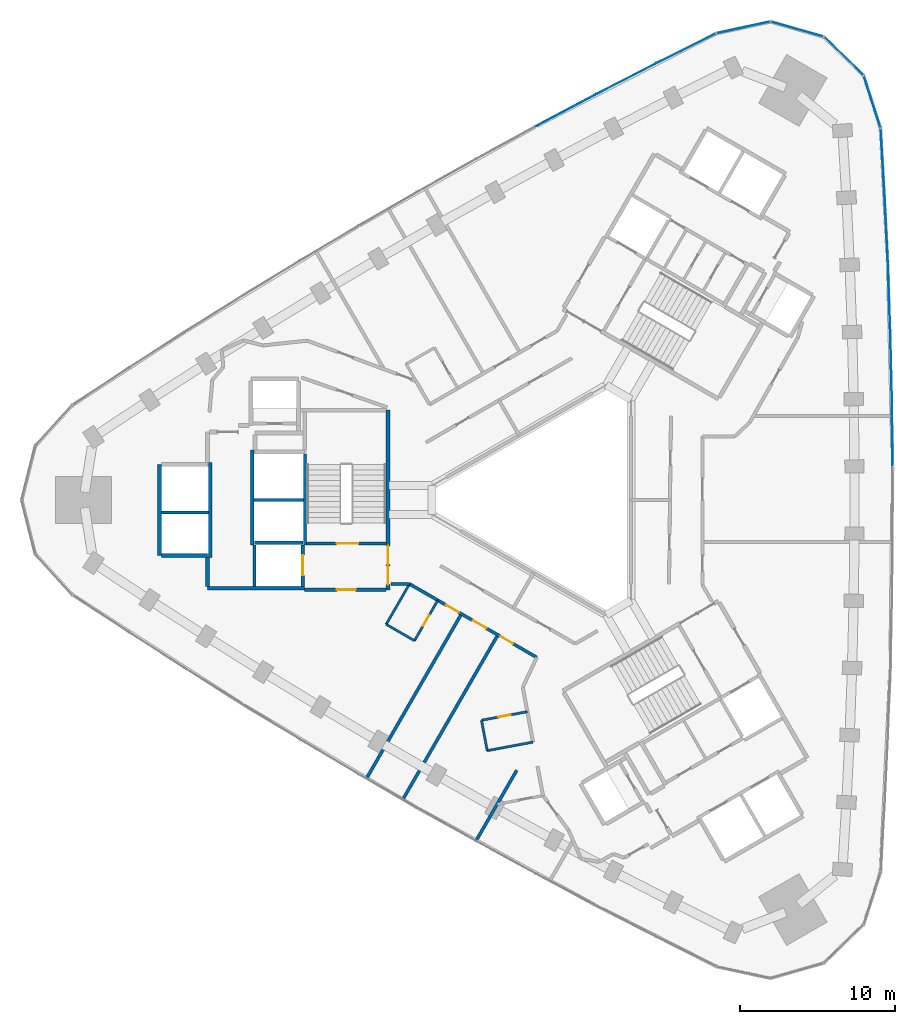
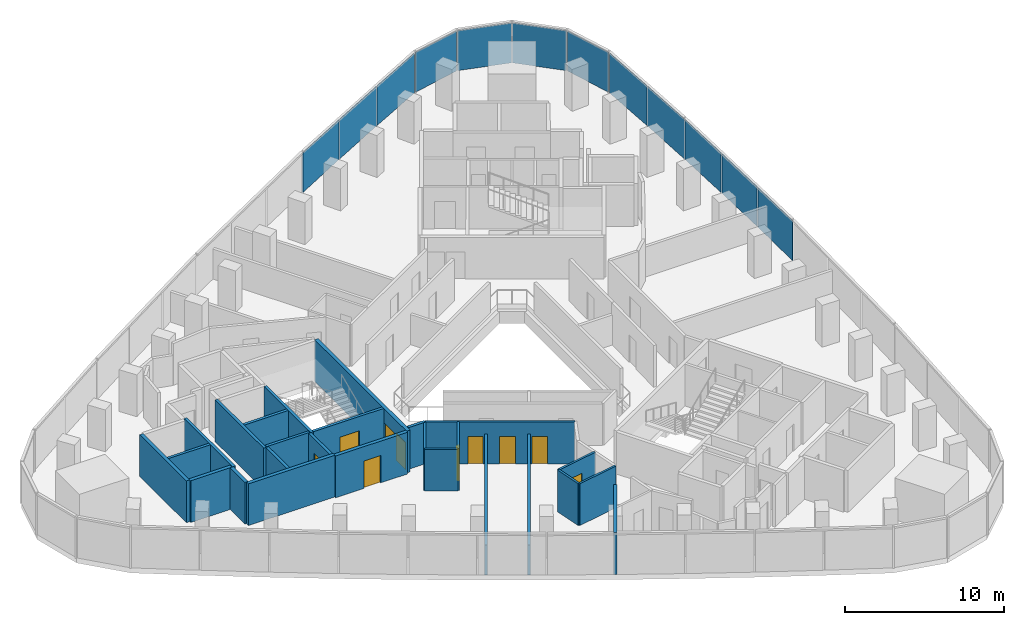
# One storey, part 7 of 12: 26 walls, 12 plates, 10 doors, 10 openings, 2 elements without a shape of their own.
"""IFC4 building model written with IfcOpenShell, lengths in metres."""

from ifc_helpers import new_model, si_unit, direction, frame, frame_2d, origin, origin_2d, place, context, subcontext, project, spatial, rectangle, extrude, material, layer, layer_set, type_object, element, fill, aggregate, save


model = new_model("IFC4")

# Units and contexts
model_context = context("Model", 3, precision=1e-05, world=origin(), true_north=direction((0.0, 1.0)))
body_context = subcontext(model_context, "Body", "Model", "MODEL_VIEW")
ifc_project = project(units=[si_unit("LENGTHUNIT", "METRE"), si_unit("AREAUNIT", "SQUARE_METRE"), si_unit("VOLUMEUNIT", "CUBIC_METRE"), si_unit("PLANEANGLEUNIT", "RADIAN"), si_unit("MASSUNIT", "GRAM", prefix="KILO")], contexts=[model_context])

# Site, building, storey
site_placement = place(None, origin())
site = spatial("IfcSite", under=ifc_project, at=site_placement, CompositionType="ELEMENT")
building_placement = place(site_placement, origin())
building = spatial("IfcBuilding", under=site, at=building_placement, Name="Tamra Quay Hotel Tower", CompositionType="ELEMENT")
storey_placement = place(building_placement, frame((0.0, 0.0, 143.199951171875)))
storey = spatial("IfcBuildingStorey", under=building, at=storey_placement, Name="L35", CompositionType="ELEMENT", Elevation=143.199951171875)

# Curtain wall, plates
ifc_material_1 = material(Name="Aluminium 6063 anodised dark grey", Category="aluminium")
curtain_wall_type_1 = type_object("IfcCurtainWallType", Name="CW1 CURTAIN WALL", PredefinedType="NOTDEFINED", material=ifc_material_1)
curtain_wall_1_placement = place(storey_placement, origin())
curtain_wall_1 = element("IfcCurtainWall", 1, at=curtain_wall_1_placement, inside=storey, type_object=curtain_wall_type_1, Name="CW1 east face L35", PredefinedType="NOTDEFINED")
ifc_material_2 = material(Name="Glass clear laminated low-iron", Category="glass")
ifc_layer_1 = layer(ifc_material_2, 0.031982421875)
ifc_layer_set_1 = layer_set([ifc_layer_1], Name="GLASS PANEL CW1 Z3")
plate_type_1 = type_object("IfcPlateType", Name="GLASS PANEL CW1 Z3", PredefinedType="CURTAIN_PANEL", material=ifc_layer_set_1)
plate_1_placement = place(storey_placement, frame((21.60546875, 4.3515625, 0.0), z_axis=(0.0, 0.0, 1.0), x_axis=(-0.011956859788, 0.999928514197, 0.0)))
plate_1 = element("IfcPlate", 2, at=plate_1_placement, type_object=plate_type_1, Name="CW1 glass L35.E.7", PredefinedType="CURTAIN_PANEL", context=body_context, shape_type="SweptSolid", body=[
    extrude(rectangle(XDim=4.2509765625, YDim=0.031982421875, at=origin_2d()), origin(), (0.0, 0.0, 1.0), 3.06005859375),
])
plate_2_placement = place(storey_placement, frame((21.527587890625, 8.70263671875, 0.0), z_axis=(0.0, 0.0, 1.0), x_axis=(-0.023895852937, 0.999714453338, 0.0)))
plate_2 = element("IfcPlate", 3, at=plate_2_placement, type_object=plate_type_1, Name="CW1 glass L35.E.8", PredefinedType="CURTAIN_PANEL", context=body_context, shape_type="SweptSolid", body=[
    extrude(rectangle(XDim=4.252685546875, YDim=0.031982421875, at=origin_2d()), origin(), (0.0, 0.0, 1.0), 3.06005859375),
])
plate_3_placement = place(storey_placement, frame((21.3974609375, 13.05322265625, 0.0), z_axis=(0.0, 0.0, 1.0), x_axis=(-0.035845418958, 0.999357346468, 0.0)))
plate_3 = element("IfcPlate", 4, at=plate_3_placement, type_object=plate_type_1, Name="CW1 glass L35.E.9", PredefinedType="CURTAIN_PANEL", context=body_context, shape_type="SweptSolid", body=[
    extrude(rectangle(XDim=4.252685546875, YDim=0.031982421875, at=origin_2d()), origin(), (0.0, 0.0, 1.0), 3.06005859375),
])
plate_4_placement = place(storey_placement, frame((21.215576171875, 17.401123046875, 0.0), z_axis=(0.0, 0.0, 1.0), x_axis=(-0.047747439326, 0.998859440581, 0.0)))
plate_4 = element("IfcPlate", 5, at=plate_4_placement, type_object=plate_type_1, Name="CW1 glass L35.E.10", PredefinedType="CURTAIN_PANEL", context=body_context, shape_type="SweptSolid", body=[
    extrude(rectangle(XDim=4.2509765625, YDim=0.031982421875, at=origin_2d()), origin(), (0.0, 0.0, 1.0), 3.06005859375),
])
plate_5_placement = place(storey_placement, frame((20.98193359375, 21.74609375, 0.0), z_axis=(0.0, 0.0, 1.0), x_axis=(-0.059641629271, 0.998219853568, 0.0)))
plate_5 = element("IfcPlate", 6, at=plate_5_placement, type_object=plate_type_1, Name="CW1 glass L35.E.11", PredefinedType="CURTAIN_PANEL", context=body_context, shape_type="SweptSolid", body=[
    extrude(rectangle(XDim=4.251708984375, YDim=0.031982421875, at=origin_2d()), origin(), (0.0, 0.0, 1.0), 3.06005859375),
])
plate_6_placement = place(storey_placement, frame((20.306884765625, 25.615234375, 0.0), z_axis=(0.0, 0.0, 1.0), x_axis=(-0.305914777883, 0.952058899792, 0.0)))
plate_6 = element("IfcPlate", 7, at=plate_6_placement, type_object=plate_type_1, Name="CW1 glass L35.E.12", PredefinedType="CURTAIN_PANEL", context=body_context, shape_type="SweptSolid", body=[
    extrude(rectangle(XDim=3.46484375, YDim=0.031982421875, at=origin_2d()), origin(), (0.0, 0.0, 1.0), 3.06005859375),
])
plate_7_placement = place(storey_placement, frame((18.480712890625, 28.5517578125, 0.0), z_axis=(0.0, 0.0, 1.0), x_axis=(-0.718584480635, 0.695439676888, 0.0)))
plate_7 = element("IfcPlate", 8, at=plate_7_placement, type_object=plate_type_1, Name="CW1 glass L35.E.13", PredefinedType="CURTAIN_PANEL", context=body_context, shape_type="SweptSolid", body=[
    extrude(rectangle(XDim=3.46484375, YDim=0.031982421875, at=origin_2d()), origin(), (0.0, 0.0, 1.0), 3.06005859375),
])
plate_8_placement = place(storey_placement, frame((15.486083984375, 30.28076171875, 0.0), z_axis=(0.0, 0.0, 1.0), x_axis=(-0.961560667302, 0.274592576551, 0.0)))
plate_8 = element("IfcPlate", 9, at=plate_8_placement, type_object=plate_type_1, Name="CW1 glass L35.E.14", PredefinedType="CURTAIN_PANEL", context=body_context, shape_type="SweptSolid", body=[
    extrude(rectangle(XDim=3.46484375, YDim=0.031982421875, at=origin_2d()), origin(), (0.0, 0.0, 1.0), 3.06005859375),
])
plate_9_placement = place(storey_placement, frame((12.030029296875, 30.393798828125, 0.0), z_axis=(0.0, 0.0, 1.0), x_axis=(-0.97746458206, -0.211099480856, 0.0)))
plate_9 = element("IfcPlate", 10, at=plate_9_placement, type_object=plate_type_1, Name="CW1 glass L35.E.15", PredefinedType="CURTAIN_PANEL", context=body_context, shape_type="SweptSolid", body=[
    extrude(rectangle(XDim=3.46484375, YDim=0.031982421875, at=origin_2d()), origin(), (0.0, 0.0, 1.0), 3.06005859375),
])
aggregate(curtain_wall_1, [plate_1, plate_2, plate_3, plate_4, plate_5, plate_6, plate_7, plate_8, plate_9])

curtain_wall_type_2 = type_object("IfcCurtainWallType", Name="CW2 CURTAIN WALL", PredefinedType="NOTDEFINED", material=ifc_material_1)
curtain_wall_2_placement = place(storey_placement, origin())
curtain_wall_2 = element("IfcCurtainWall", 11, at=curtain_wall_2_placement, inside=storey, type_object=curtain_wall_type_2, Name="CW2 north-west face L35", PredefinedType="NOTDEFINED")
ifc_layer_2 = layer(ifc_material_2, 0.031982421875)
ifc_layer_set_2 = layer_set([ifc_layer_2], Name="GLASS PANEL CW2 Z3")
plate_type_2 = type_object("IfcPlateType", Name="GLASS PANEL CW2 Z3", PredefinedType="CURTAIN_PANEL", material=ifc_layer_set_2)
plate_10_placement = place(storey_placement, frame((8.341796875, 29.0439453125, 0.0), z_axis=(0.0, 0.0, 1.0), x_axis=(-0.894304566387, -0.447458760713, 0.0)))
plate_10 = element("IfcPlate", 12, at=plate_10_placement, type_object=plate_type_2, Name="CW2 glass L35.NW.1", PredefinedType="CURTAIN_PANEL", context=body_context, shape_type="SweptSolid", body=[
    extrude(rectangle(XDim=4.251708984375, YDim=0.031982421875, at=origin_2d()), origin(), (0.0, 0.0, 1.0), 3.06005859375),
])
plate_11_placement = place(storey_placement, frame((4.462158203125, 27.073974609375, 0.0), z_axis=(0.0, 0.0, 1.0), x_axis=(-0.888911370016, -0.458079224868, 0.0)))
plate_11 = element("IfcPlate", 13, at=plate_11_placement, type_object=plate_type_2, Name="CW2 glass L35.NW.2", PredefinedType="CURTAIN_PANEL", context=body_context, shape_type="SweptSolid", body=[
    extrude(rectangle(XDim=4.2509765625, YDim=0.031982421875, at=origin_2d()), origin(), (0.0, 0.0, 1.0), 3.06005859375),
])
plate_12_placement = place(storey_placement, frame((0.605712890625, 25.057373046875, 0.0), z_axis=(0.0, 0.0, 1.0), x_axis=(-0.883391558979, -0.468635629808, 0.0)))
plate_12 = element("IfcPlate", 14, at=plate_12_placement, type_object=plate_type_2, Name="CW2 glass L35.NW.3", PredefinedType="CURTAIN_PANEL", context=body_context, shape_type="SweptSolid", body=[
    extrude(rectangle(XDim=4.252685546875, YDim=0.031982421875, at=origin_2d()), origin(), (0.0, 0.0, 1.0), 3.06005859375),
])
aggregate(curtain_wall_2, [plate_10, plate_11, plate_12])

# Walls
ifc_material_3 = material(Name="Concrete M70", Category="concrete")
ifc_layer_3 = layer(ifc_material_3, 0.199951171875)
ifc_layer_set_3 = layer_set([ifc_layer_3], Name="Concrete M70 core wall 200")
wall_type_1 = type_object("IfcWallType", Name="Concrete M70 core wall 200", PredefinedType="SHEAR", material=ifc_layer_set_3)
wall_1_placement = place(storey_placement, frame((-16.162109375, 2.95068359375, 0.0), z_axis=(0.0, 0.0, 1.0), x_axis=(0.0, -1.0, 0.0)))
element("IfcWall", 15, at=wall_1_placement, inside=storey, type_object=wall_type_1, Name="CW2", PredefinedType="SHEAR", context=body_context, shape_type="SweptSolid", body=[
    extrude(rectangle(XDim=5.850830078125, YDim=0.199951171875, at=frame_2d((2.92529296875, 0.0))), origin(), (0.0, 0.0, 1.0), 3.199951171875),
])
for number, where, z_axis, x_axis, name in (
    (16, (-19.5625, -2.900146484375, 0.0), (0.0, 0.0, 1.0), (0.0, 1.0, 0.0), "CW2"),
    (17, (-22.26220703125, 2.400146484375, 0.0), (0.0, 0.0, 1.0), (0.0, -1.0, 0.0), "CW2"),
):
    element("IfcWall", number, at=place(storey_placement, frame(where, z_axis=z_axis, x_axis=x_axis)), inside=storey, type_object=wall_type_1, Name=name, PredefinedType="SHEAR", context=body_context, shape_type="SweptSolid", body=[
        extrude(rectangle(XDim=6.100341796875, YDim=0.199951171875, at=frame_2d((3.05029296875, 0.0))), origin(), (0.0, 0.0, 1.0), 3.199951171875),
    ])

# Wall, opening, door
wall_2_placement = place(storey_placement, frame((-10.96337890625, -2.800048828125, 0.0), z_axis=(0.0, 0.0, 1.0), x_axis=(-1.0, 0.0, 0.0)))
wall_2 = element("IfcWall", 18, at=wall_2_placement, inside=storey, type_object=wall_type_1, Name="CW2", PredefinedType="SHEAR", context=body_context, shape_type="SweptSolid", body=[
    extrude(rectangle(XDim=5.097900390625, YDim=0.199951171875, at=frame_2d((2.548828125, 0.0))), origin(), (0.0, 0.0, 1.0), 3.199951171875),
])
opening_1_placement = place(wall_2_placement, frame((1.77392578125, 0.0, 0.0)))
opening_1 = element("IfcOpeningElement", 19, at=opening_1_placement, cuts=wall_2, Name="Opening FD2", PredefinedType="OPENING", context=body_context, shape_type="SweptSolid", body=[
    extrude(rectangle(XDim=1.39990234375, YDim=2.10009765625, at=frame_2d((0.699951171875, 1.050048828125))), frame((0.0, 0.10986328125, 0.0), z_axis=(0.0, -1.0, 0.0), x_axis=(1.0, 0.0, 0.0)), (0.0, 0.0, 1.0), 0.219970703125),
])
ifc_material_4 = material(Name="Core door FD2 1400x2100 LH")
door_type_1 = type_object("IfcDoorType", Name="Core door FD2 1400x2100 LH", OperationType="NOTDEFINED", PredefinedType="DOOR", material=ifc_material_4)
door_1_placement = place(opening_1_placement, origin())
door_1 = element("IfcDoor", 20, at=door_1_placement, inside=storey, type_object=door_type_1, Name="FD2", OperationType="SINGLE_SWING_LEFT", OverallHeight=2.10009765625, OverallWidth=1.39990234375, PredefinedType="DOOR", context=body_context, shape_type="SweptSolid", body=[
    extrude(rectangle(XDim=1.39990234375, YDim=2.10009765625, at=frame_2d((0.699951171875, 1.050048828125))), frame((0.0, 0.02490234375, 0.0), z_axis=(0.0, -1.0, 0.0), x_axis=(1.0, 0.0, 0.0)), (0.0, 0.0, 1.0), 0.050048828125),
])
fill(opening_1, door_1)

# Walls
wall_3_placement = place(storey_placement, frame((-16.26318359375, 0.0, 0.0), z_axis=(0.0, 0.0, 1.0), x_axis=(-1.0, 0.0, 0.0)))
element("IfcWall", 21, at=wall_3_placement, inside=storey, type_object=wall_type_1, Name="CW2", PredefinedType="SHEAR", context=body_context, shape_type="SweptSolid", body=[
    extrude(rectangle(XDim=3.1982421875, YDim=0.199951171875, at=frame_2d((1.59912109375, 0.0))), origin(), (0.0, 0.0, 1.0), 3.199951171875),
])
wall_4_placement = place(storey_placement, frame((-22.36328125, -0.800048828125, 0.0), z_axis=(0.0, 0.0, 1.0), x_axis=(-1.0, 0.0, 0.0)))
element("IfcWall", 22, at=wall_4_placement, inside=storey, type_object=wall_type_1, Name="CW2", PredefinedType="SHEAR", context=body_context, shape_type="SweptSolid", body=[
    extrude(rectangle(XDim=3.048095703125, YDim=0.199951171875, at=frame_2d((1.52392578125, 0.0))), origin(), (0.0, 0.0, 1.0), 3.199951171875),
])
wall_5_placement = place(storey_placement, frame((-19.412353515625, -2.75, 0.0), z_axis=(0.0, 0.0, 1.0), x_axis=(1.0, 0.0, 0.0)))
element("IfcWall", 23, at=wall_5_placement, inside=storey, type_object=wall_type_1, Name="CW2", PredefinedType="SHEAR", context=body_context, shape_type="SweptSolid", body=[
    extrude(rectangle(XDim=3.10009765625, YDim=0.199951171875, at=frame_2d((1.550048828125, 0.0))), origin(), (0.0, 0.0, 1.0), 3.199951171875),
])

# Wall, opening, door
wall_6_placement = place(storey_placement, frame((-16.312255859375, -2.898193359375, 0.0), z_axis=(0.0, 0.0, 1.0), x_axis=(0.0, -1.0, 0.0)))
wall_6 = element("IfcWall", 24, at=wall_6_placement, inside=storey, type_object=wall_type_1, Name="CW2", PredefinedType="SHEAR", context=body_context, shape_type="SweptSolid", body=[
    extrude(rectangle(XDim=2.65087890625, YDim=0.199951171875, at=frame_2d((1.325439453125, 0.0))), origin(), (0.0, 0.0, 1.0), 3.199951171875),
])
opening_2_placement = place(wall_6_placement, frame((0.65185546875, 0.0, 0.0)))
opening_2 = element("IfcOpeningElement", 25, at=opening_2_placement, cuts=wall_6, Name="Opening LD", PredefinedType="OPENING", context=body_context, shape_type="SweptSolid", body=[
    extrude(rectangle(XDim=1.300048828125, YDim=2.10009765625, at=frame_2d((0.64990234375, 1.050048828125))), frame((0.0, 0.10986328125, 0.0), z_axis=(0.0, -1.0, 0.0), x_axis=(1.0, 0.0, 0.0)), (0.0, 0.0, 1.0), 0.219970703125),
])
ifc_material_5 = material(Name="Landing door LD 1300 sliding to left")
door_type_2 = type_object("IfcDoorType", Name="Landing door LD 1300 sliding to left", OperationType="NOTDEFINED", PredefinedType="DOOR", material=ifc_material_5)
door_2_placement = place(opening_2_placement, origin())
door_2 = element("IfcDoor", 26, at=door_2_placement, inside=storey, type_object=door_type_2, Name="LD", OperationType="SLIDING_TO_LEFT", OverallHeight=2.10009765625, OverallWidth=1.300048828125, PredefinedType="DOOR", context=body_context, shape_type="SweptSolid", body=[
    extrude(rectangle(XDim=1.300048828125, YDim=2.10009765625, at=frame_2d((0.64990234375, 1.050048828125))), frame((0.0, 0.02490234375, 0.0), z_axis=(0.0, -1.0, 0.0), x_axis=(1.0, 0.0, 0.0)), (0.0, 0.0, 1.0), 0.050048828125),
])
fill(opening_2, door_2)

# Wall
wall_7_placement = place(storey_placement, frame((-19.412353515625, -5.549072265625, 0.0), z_axis=(0.0, 0.0, 1.0), x_axis=(0.0, 1.0, 0.0)))
element("IfcWall", 27, at=wall_7_placement, inside=storey, type_object=wall_type_1, Name="CW2", PredefinedType="SHEAR", context=body_context, shape_type="SweptSolid", body=[
    extrude(rectangle(XDim=2.65087890625, YDim=0.199951171875, at=frame_2d((1.325439453125, 0.0))), origin(), (0.0, 0.0, 1.0), 3.199951171875),
])

# Wall, openings, doors
ifc_layer_4 = layer(ifc_material_3, 0.25)
ifc_layer_set_4 = layer_set([ifc_layer_4], Name="Concrete M70 core wall 250")
wall_type_2 = type_object("IfcWallType", Name="Concrete M70 core wall 250", PredefinedType="SHEAR", material=ifc_layer_set_4)
wall_8_placement = place(storey_placement, frame((-10.83740234375, 5.77490234375, 0.0), z_axis=(0.0, 0.0, 1.0), x_axis=(0.0, -1.0, 0.0)))
wall_8 = element("IfcWall", 28, at=wall_8_placement, inside=storey, type_object=wall_type_2, Name="CW1", PredefinedType="SHEAR", context=body_context, shape_type="SweptSolid", body=[
    extrude(rectangle(XDim=11.5498046875, YDim=0.25, at=frame_2d((5.77490234375, 0.0))), origin(), (0.0, 0.0, 1.0), 3.199951171875),
])
opening_3_placement = place(wall_8_placement, frame((10.02490234375, 0.0, 0.0)))
opening_3 = element("IfcOpeningElement", 29, at=opening_3_placement, cuts=wall_8, Name="Opening FD1", PredefinedType="OPENING", context=body_context, shape_type="SweptSolid", body=[
    extrude(rectangle(XDim=1.199951171875, YDim=2.10009765625, at=frame_2d((0.60009765625, 1.050048828125))), frame((0.0, 0.135009765625, 0.0), z_axis=(0.0, -1.0, 0.0), x_axis=(1.0, 0.0, 0.0)), (0.0, 0.0, 1.0), 0.27001953125),
])
opening_4_placement = place(wall_8_placement, frame((8.72509765625, 0.0, 0.0)))
opening_4 = element("IfcOpeningElement", 30, at=opening_4_placement, cuts=wall_8, Name="Opening FD1", PredefinedType="OPENING", context=body_context, shape_type="SweptSolid", body=[
    extrude(rectangle(XDim=1.199951171875, YDim=2.10009765625, at=frame_2d((0.60009765625, 1.050048828125))), frame((0.0, 0.135009765625, 0.0), z_axis=(0.0, -1.0, 0.0), x_axis=(1.0, 0.0, 0.0)), (0.0, 0.0, 1.0), 0.27001953125),
])
ifc_material_6 = material(Name="Core door FD1 1200x2100 LH")
door_type_3 = type_object("IfcDoorType", Name="Core door FD1 1200x2100 LH", OperationType="NOTDEFINED", PredefinedType="DOOR", material=ifc_material_6)
door_3_placement = place(opening_3_placement, origin())
door_3 = element("IfcDoor", 31, at=door_3_placement, inside=storey, type_object=door_type_3, Name="FD1", OperationType="SINGLE_SWING_LEFT", OverallHeight=2.10009765625, OverallWidth=1.199951171875, PredefinedType="DOOR", context=body_context, shape_type="SweptSolid", body=[
    extrude(rectangle(XDim=1.199951171875, YDim=2.10009765625, at=frame_2d((0.60009765625, 1.050048828125))), frame((0.0, 0.02490234375, 0.0), z_axis=(0.0, -1.0, 0.0), x_axis=(1.0, 0.0, 0.0)), (0.0, 0.0, 1.0), 0.050048828125),
])
fill(opening_3, door_3)
ifc_material_7 = material(Name="Core door FD1 1200x2100 RH")
door_type_4 = type_object("IfcDoorType", Name="Core door FD1 1200x2100 RH", OperationType="NOTDEFINED", PredefinedType="DOOR", material=ifc_material_7)
door_4_placement = place(opening_4_placement, origin())
door_4 = element("IfcDoor", 32, at=door_4_placement, inside=storey, type_object=door_type_4, Name="FD1", OperationType="SINGLE_SWING_RIGHT", OverallHeight=2.10009765625, OverallWidth=1.199951171875, PredefinedType="DOOR", context=body_context, shape_type="SweptSolid", body=[
    extrude(rectangle(XDim=1.199951171875, YDim=2.10009765625, at=frame_2d((0.60009765625, 1.050048828125))), frame((0.0, 0.02490234375, 0.0), z_axis=(0.0, -1.0, 0.0), x_axis=(1.0, 0.0, 0.0)), (0.0, 0.0, 1.0), 0.050048828125),
])
fill(opening_4, door_4)

# Walls
wall_9_placement = place(storey_placement, frame((-16.187255859375, -5.675048828125, 0.0), z_axis=(0.0, 0.0, 1.0), x_axis=(-1.0, 0.0, 0.0)))
element("IfcWall", 33, at=wall_9_placement, inside=storey, type_object=wall_type_2, Name="CW1", PredefinedType="SHEAR", context=body_context, shape_type="SweptSolid", body=[
    extrude(rectangle(XDim=6.25, YDim=0.25, at=frame_2d((3.125, 0.0))), origin(), (0.0, 0.0, 1.0), 3.199951171875),
])
wall_10_placement = place(storey_placement, frame((-25.537353515625, -3.574951171875, 0.0), z_axis=(0.0, 0.0, 1.0), x_axis=(0.0, 1.0, 0.0)))
element("IfcWall", 34, at=wall_10_placement, inside=storey, type_object=wall_type_2, Name="CW1", PredefinedType="SHEAR", context=body_context, shape_type="SweptSolid", body=[
    extrude(rectangle(XDim=5.849853515625, YDim=0.25, at=frame_2d((2.9248046875, 0.0))), origin(), (0.0, 0.0, 1.0), 3.199951171875),
])

# Wall, opening, door
wall_11_placement = place(storey_placement, frame((-10.962646484375, -5.77490234375, 0.0), z_axis=(0.0, 0.0, 1.0), x_axis=(-1.0, 0.0, 0.0)))
wall_11 = element("IfcWall", 35, at=wall_11_placement, inside=storey, type_object=wall_type_2, Name="CW1", PredefinedType="SHEAR", context=body_context, shape_type="SweptSolid", body=[
    extrude(rectangle(XDim=5.224609375, YDim=0.25, at=frame_2d((2.6123046875, 0.0))), origin(), (0.0, 0.0, 1.0), 3.199951171875),
])
opening_5_placement = place(wall_11_placement, frame((1.94970703125, 0.0, 0.0)))
opening_5 = element("IfcOpeningElement", 36, at=opening_5_placement, cuts=wall_11, Name="Opening D2", PredefinedType="OPENING", context=body_context, shape_type="SweptSolid", body=[
    extrude(rectangle(XDim=1.199951171875, YDim=2.10009765625, at=frame_2d((0.60009765625, 1.050048828125))), frame((0.0, 0.135009765625, 0.0), z_axis=(0.0, -1.0, 0.0), x_axis=(1.0, 0.0, 0.0)), (0.0, 0.0, 1.0), 0.27001953125),
])
ifc_material_8 = material(Name="Core door D2 1200x2100 RH")
door_type_5 = type_object("IfcDoorType", Name="Core door D2 1200x2100 RH", OperationType="NOTDEFINED", PredefinedType="DOOR", material=ifc_material_8)
door_5_placement = place(opening_5_placement, origin())
door_5 = element("IfcDoor", 37, at=door_5_placement, inside=storey, type_object=door_type_5, Name="D2", OperationType="SINGLE_SWING_RIGHT", OverallHeight=2.10009765625, OverallWidth=1.199951171875, PredefinedType="DOOR", context=body_context, shape_type="SweptSolid", body=[
    extrude(rectangle(XDim=1.199951171875, YDim=2.10009765625, at=frame_2d((0.60009765625, 1.050048828125))), frame((0.0, 0.02490234375, 0.0), z_axis=(0.0, -1.0, 0.0), x_axis=(1.0, 0.0, 0.0)), (0.0, 0.0, 1.0), 0.050048828125),
])
fill(opening_5, door_5)

# Walls
wall_12_placement = place(storey_placement, frame((-22.437255859375, -3.574951171875, 0.0), z_axis=(0.0, 0.0, 1.0), x_axis=(-1.0, 0.0, 0.0)))
element("IfcWall", 38, at=wall_12_placement, inside=storey, type_object=wall_type_2, Name="CW1", PredefinedType="SHEAR", context=body_context, shape_type="SweptSolid", body=[
    extrude(rectangle(XDim=2.974609375, YDim=0.25, at=frame_2d((1.4873046875, 0.0))), origin(), (0.0, 0.0, 1.0), 3.199951171875),
])
wall_13_placement = place(storey_placement, frame((-22.437255859375, -5.549560546875, 0.0), z_axis=(0.0, 0.0, 1.0), x_axis=(0.0, 1.0, 0.0)))
element("IfcWall", 39, at=wall_13_placement, inside=storey, type_object=wall_type_2, Name="CW1", PredefinedType="SHEAR", context=body_context, shape_type="SweptSolid", body=[
    extrude(rectangle(XDim=1.84912109375, YDim=0.25, at=frame_2d((0.924560546875, 0.0))), origin(), (0.0, 0.0, 1.0), 3.199951171875),
])
ifc_material_9 = material(Name="Partition corridor wall")
ifc_layer_5 = layer(ifc_material_9, 0.199951171875)
ifc_layer_set_5 = layer_set([ifc_layer_5], Name="Partition corridor wall")
wall_type_3 = type_object("IfcWallType", Name="Partition corridor wall", PredefinedType="PARTITIONING", material=ifc_layer_set_5)
wall_14_placement = place(storey_placement, frame((-10.65234375, -5.39990234375, 0.0), z_axis=(0.0, 0.0, 1.0), x_axis=(1.0, 0.0, 0.0)))
element("IfcWall", 40, at=wall_14_placement, inside=storey, type_object=wall_type_3, Name="W-C", PredefinedType="PARTITIONING", context=body_context, shape_type="SweptSolid", body=[
    extrude(rectangle(XDim=1.205322265625, YDim=0.199951171875, at=frame_2d((0.6025390625, 0.0))), origin(), (0.0, 0.0, 1.0), 3.199951171875),
])

# Wall, openings, doors
wall_15_placement = place(storey_placement, frame((-9.447265625, -5.400390625, 0.0), z_axis=(0.0, 0.0, 1.0), x_axis=(0.866101262146, -0.49986858644, 0.0)))
wall_15 = element("IfcWall", 41, at=wall_15_placement, inside=storey, type_object=wall_type_3, Name="W-C", PredefinedType="PARTITIONING", context=body_context, shape_type="SweptSolid", body=[
    extrude(rectangle(XDim=9.44873046875, YDim=0.199951171875, at=frame_2d((4.724365234375, 0.0))), origin(), (0.0, 0.0, 1.0), 3.199951171875),
])
opening_6_placement = place(wall_15_placement, frame((2.71826171875, 0.0, 0.0)))
opening_6 = element("IfcOpeningElement", 42, at=opening_6_placement, cuts=wall_15, Name="Opening L35-D010", PredefinedType="OPENING", context=body_context, shape_type="SweptSolid", body=[
    extrude(rectangle(XDim=0.949951171875, YDim=2.10009765625, at=frame_2d((0.47509765625, 1.050048828125))), frame((0.0, 0.10986328125, 0.0), z_axis=(0.0, -1.0, 0.0), x_axis=(1.0, 0.0, 0.0)), (0.0, 0.0, 1.0), 0.219970703125),
])
opening_7_placement = place(wall_15_placement, frame((4.706787109375, 0.0, 0.0)))
opening_7 = element("IfcOpeningElement", 43, at=opening_7_placement, cuts=wall_15, Name="Opening L35-D012", PredefinedType="OPENING", context=body_context, shape_type="SweptSolid", body=[
    extrude(rectangle(XDim=1.0, YDim=2.10009765625, at=frame_2d((0.5, 1.050048828125))), frame((0.0, 0.10986328125, 0.0), z_axis=(0.0, -1.0, 0.0), x_axis=(1.0, 0.0, 0.0)), (0.0, 0.0, 1.0), 0.219970703125),
])
opening_8_placement = place(wall_15_placement, frame((6.74609375, 0.0, 0.0)))
opening_8 = element("IfcOpeningElement", 44, at=opening_8_placement, cuts=wall_15, Name="Opening L35-D013", PredefinedType="OPENING", context=body_context, shape_type="SweptSolid", body=[
    extrude(rectangle(XDim=0.949951171875, YDim=2.10009765625, at=frame_2d((0.47509765625, 1.050048828125))), frame((0.0, 0.10986328125, 0.0), z_axis=(0.0, -1.0, 0.0), x_axis=(1.0, 0.0, 0.0)), (0.0, 0.0, 1.0), 0.219970703125),
])
ifc_material_10 = material(Name="Door guest room 1000x2100")
door_type_6 = type_object("IfcDoorType", Name="Door guest room 1000x2100", OperationType="NOTDEFINED", PredefinedType="DOOR", material=ifc_material_10)
door_6_placement = place(opening_7_placement, frame((1.0, 0.0, 0.0), z_axis=(0.0, 0.0, 1.0), x_axis=(-1.0, 0.0, 0.0)))
door_6 = element("IfcDoor", 45, at=door_6_placement, inside=storey, type_object=door_type_6, Name="L35-D012", OperationType="SINGLE_SWING_LEFT", OverallHeight=2.10009765625, OverallWidth=1.0, PredefinedType="DOOR", context=body_context, shape_type="SweptSolid", body=[
    extrude(rectangle(XDim=1.0, YDim=2.10009765625, at=frame_2d((0.5, 1.050048828125))), frame((0.0, 0.02490234375, 0.0), z_axis=(0.0, -1.0, 0.0), x_axis=(1.0, 0.0, 0.0)), (0.0, 0.0, 1.0), 0.050048828125),
])
fill(opening_7, door_6)
ifc_material_11 = material(Name="Door guest room 950x2100")
door_type_7 = type_object("IfcDoorType", Name="Door guest room 950x2100", OperationType="NOTDEFINED", PredefinedType="DOOR", material=ifc_material_11)
door_7_placement = place(opening_6_placement, frame((0.949951171875, 0.0, 0.0), z_axis=(0.0, 0.0, 1.0), x_axis=(-1.0, 0.0, 0.0)))
door_7 = element("IfcDoor", 46, at=door_7_placement, inside=storey, type_object=door_type_7, Name="L35-D010", OperationType="SINGLE_SWING_LEFT", OverallHeight=2.10009765625, OverallWidth=0.949951171875, PredefinedType="DOOR", context=body_context, shape_type="SweptSolid", body=[
    extrude(rectangle(XDim=0.949951171875, YDim=2.10009765625, at=frame_2d((0.47509765625, 1.050048828125))), frame((0.0, 0.02490234375, 0.0), z_axis=(0.0, -1.0, 0.0), x_axis=(1.0, 0.0, 0.0)), (0.0, 0.0, 1.0), 0.050048828125),
])
fill(opening_6, door_7)
door_8_placement = place(opening_8_placement, frame((0.949951171875, 0.0, 0.0), z_axis=(0.0, 0.0, 1.0), x_axis=(-1.0, 0.0, 0.0)))
door_8 = element("IfcDoor", 47, at=door_8_placement, inside=storey, type_object=door_type_7, Name="L35-D013", OperationType="SINGLE_SWING_LEFT", OverallHeight=2.10009765625, OverallWidth=0.949951171875, PredefinedType="DOOR", context=body_context, shape_type="SweptSolid", body=[
    extrude(rectangle(XDim=0.949951171875, YDim=2.10009765625, at=frame_2d((0.47509765625, 1.050048828125))), frame((0.0, 0.02490234375, 0.0), z_axis=(0.0, -1.0, 0.0), x_axis=(1.0, 0.0, 0.0)), (0.0, 0.0, 1.0), 0.050048828125),
])
fill(opening_8, door_8)

# Walls
ifc_material_12 = material(Name="Partition en-suite wall")
ifc_layer_6 = layer(ifc_material_12, 0.14990234375)
ifc_layer_set_6 = layer_set([ifc_layer_6], Name="Partition en-suite wall")
wall_type_4 = type_object("IfcWallType", Name="Partition en-suite wall", PredefinedType="PARTITIONING", material=ifc_layer_set_6)
wall_16_placement = place(storey_placement, frame((-10.946044921875, -7.99609375, 0.0), z_axis=(0.0, 0.0, 1.0), x_axis=(0.500027927039, 0.866009279501, 0.0)))
element("IfcWall", 48, at=wall_16_placement, inside=storey, type_object=wall_type_4, Name="W-E", PredefinedType="PARTITIONING", context=body_context, shape_type="SweptSolid", body=[
    extrude(rectangle(XDim=2.997802734375, YDim=0.14990234375, at=frame_2d((1.4990234375, 0.0))), origin(), (0.0, 0.0, 1.0), 3.199951171875),
])
wall_17_placement = place(storey_placement, frame((-10.945068359375, -7.9990234375, 0.0), z_axis=(0.0, 0.0, 1.0), x_axis=(0.866005190944, -0.500035008033, 0.0)))
element("IfcWall", 49, at=wall_17_placement, inside=storey, type_object=wall_type_4, Name="W-E", PredefinedType="PARTITIONING", context=body_context, shape_type="SweptSolid", body=[
    extrude(rectangle(XDim=2.095947265625, YDim=0.14990234375, at=frame_2d((1.0478515625, 0.0))), origin(), (0.0, 0.0, 1.0), 3.199951171875),
])

# Wall, opening, door
wall_18_placement = place(storey_placement, frame((-9.126953125, -9.0458984375, 0.0), z_axis=(0.0, 0.0, 1.0), x_axis=(0.499959910729, 0.866048548099, 0.0)))
wall_18 = element("IfcWall", 50, at=wall_18_placement, inside=storey, type_object=wall_type_4, Name="W-E", PredefinedType="PARTITIONING", context=body_context, shape_type="SweptSolid", body=[
    extrude(rectangle(XDim=2.996337890625, YDim=0.14990234375, at=frame_2d((1.498046875, 0.0))), origin(), (0.0, 0.0, 1.0), 3.199951171875),
])
opening_9_placement = place(wall_18_placement, frame((1.09765625, 0.0, 0.0)))
opening_9 = element("IfcOpeningElement", 51, at=opening_9_placement, cuts=wall_18, Name="Opening L35-D011", PredefinedType="OPENING", context=body_context, shape_type="SweptSolid", body=[
    extrude(rectangle(XDim=0.800048828125, YDim=2.10009765625, at=frame_2d((0.39990234375, 1.050048828125))), frame((0.0, 0.0849609375, 0.0), z_axis=(0.0, -1.0, 0.0), x_axis=(1.0, 0.0, 0.0)), (0.0, 0.0, 1.0), 0.169921875),
])
ifc_material_13 = material(Name="Door en-suite 800x2100")
door_type_8 = type_object("IfcDoorType", Name="Door en-suite 800x2100", OperationType="NOTDEFINED", PredefinedType="DOOR", material=ifc_material_13)
door_9_placement = place(opening_9_placement, origin())
door_9 = element("IfcDoor", 52, at=door_9_placement, inside=storey, type_object=door_type_8, Name="L35-D011", OperationType="SINGLE_SWING_LEFT", OverallHeight=2.10009765625, OverallWidth=0.800048828125, PredefinedType="DOOR", context=body_context, shape_type="SweptSolid", body=[
    extrude(rectangle(XDim=0.800048828125, YDim=2.10009765625, at=frame_2d((0.39990234375, 1.050048828125))), frame((0.0, 0.02490234375, 0.0), z_axis=(0.0, -1.0, 0.0), x_axis=(1.0, 0.0, 0.0)), (0.0, 0.0, 1.0), 0.050048828125),
])
fill(opening_9, door_9)

# Wall
wall_19_placement = place(storey_placement, frame((-4.81689453125, -14.166015625, 0.0), z_axis=(0.0, 0.0, 1.0), x_axis=(0.183903339385, -0.982944332993, 0.0)))
element("IfcWall", 53, at=wall_19_placement, inside=storey, type_object=wall_type_4, Name="W-E", PredefinedType="PARTITIONING", context=body_context, shape_type="SweptSolid", body=[
    extrude(rectangle(XDim=1.989990234375, YDim=0.14990234375, at=frame_2d((0.9951171875, 0.0))), origin(), (0.0, 0.0, 1.0), 3.199951171875),
])

# Wall, opening, door
wall_20_placement = place(storey_placement, frame((-4.81689453125, -14.166015625, 0.0), z_axis=(0.0, 0.0, 1.0), x_axis=(0.982987155193, 0.183674311555, 0.0)))
wall_20 = element("IfcWall", 54, at=wall_20_placement, inside=storey, type_object=wall_type_4, Name="W-E", PredefinedType="PARTITIONING", context=body_context, shape_type="SweptSolid", body=[
    extrude(rectangle(XDim=3.0, YDim=0.14990234375, at=frame_2d((1.5, 0.0))), origin(), (0.0, 0.0, 1.0), 3.199951171875),
])
opening_10_placement = place(wall_20_placement, frame((1.100341796875, 0.0, 0.0)))
opening_10 = element("IfcOpeningElement", 55, at=opening_10_placement, cuts=wall_20, Name="Opening L35-D014", PredefinedType="OPENING", context=body_context, shape_type="SweptSolid", body=[
    extrude(rectangle(XDim=0.800048828125, YDim=2.10009765625, at=frame_2d((0.39990234375, 1.050048828125))), frame((0.0, 0.0849609375, 0.0), z_axis=(0.0, -1.0, 0.0), x_axis=(1.0, 0.0, 0.0)), (0.0, 0.0, 1.0), 0.169921875),
])
door_10_placement = place(opening_10_placement, frame((0.800048828125, 0.0, 0.0), z_axis=(0.0, 0.0, 1.0), x_axis=(-1.0, 0.0, 0.0)))
door_10 = element("IfcDoor", 56, at=door_10_placement, inside=storey, type_object=door_type_8, Name="L35-D014", OperationType="SINGLE_SWING_LEFT", OverallHeight=2.10009765625, OverallWidth=0.800048828125, PredefinedType="DOOR", context=body_context, shape_type="SweptSolid", body=[
    extrude(rectangle(XDim=0.800048828125, YDim=2.10009765625, at=frame_2d((0.39990234375, 1.050048828125))), frame((0.0, 0.02490234375, 0.0), z_axis=(0.0, -1.0, 0.0), x_axis=(1.0, 0.0, 0.0)), (0.0, 0.0, 1.0), 0.050048828125),
])
fill(opening_10, door_10)

# Walls
wall_21_placement = place(storey_placement, frame((-4.450927734375, -16.1220703125, 0.0), z_axis=(0.0, 0.0, 1.0), x_axis=(0.982928336035, 0.18398882091, 0.0)))
element("IfcWall", 57, at=wall_21_placement, inside=storey, type_object=wall_type_4, Name="W-E", PredefinedType="PARTITIONING", context=body_context, shape_type="SweptSolid", body=[
    extrude(rectangle(XDim=3.000244140625, YDim=0.14990234375, at=frame_2d((1.5, 0.0))), origin(), (0.0, 0.0, 1.0), 3.199951171875),
])
ifc_material_14 = material(Name="Partition party wall")
ifc_layer_7 = layer(ifc_material_14, 0.199951171875)
ifc_layer_set_7 = layer_set([ifc_layer_7], Name="Partition party wall")
wall_type_5 = type_object("IfcWallType", Name="Partition party wall", PredefinedType="PARTITIONING", material=ifc_layer_set_7)
wall_22_placement = place(storey_placement, frame((-12.219970703125, -17.9169921875, 0.0), z_axis=(0.0, 0.0, 1.0), x_axis=(0.499963860175, 0.866046268117, 0.0)))
element("IfcWall", 58, at=wall_22_placement, inside=storey, type_object=wall_type_5, Name="W-P", PredefinedType="PARTITIONING", context=body_context, shape_type="SweptSolid", body=[
    extrude(rectangle(XDim=12.22705078125, YDim=0.199951171875, at=frame_2d((6.113525390625, 0.0))), origin(), (0.0, 0.0, 1.0), 2.300048828125),
])
wall_23_placement = place(storey_placement, frame((-9.881591796875, -19.26708984375, 0.0), z_axis=(0.0, 0.0, 1.0), x_axis=(0.499993811829, 0.866028976497, 0.0)))
element("IfcWall", 59, at=wall_23_placement, inside=storey, type_object=wall_type_5, Name="W-P", PredefinedType="PARTITIONING", context=body_context, shape_type="SweptSolid", body=[
    extrude(rectangle(XDim=12.227294921875, YDim=0.199951171875, at=frame_2d((6.11376953125, 0.0))), origin(), (0.0, 0.0, 1.0), 2.300048828125),
])
wall_24_placement = place(storey_placement, frame((-5.172607421875, -21.92626953125, 0.0), z_axis=(0.0, 0.0, 1.0), x_axis=(0.499941227542, 0.86605933342, 0.0)))
element("IfcWall", 60, at=wall_24_placement, inside=storey, type_object=wall_type_5, Name="W-P", PredefinedType="PARTITIONING", context=body_context, shape_type="SweptSolid", body=[
    extrude(rectangle(XDim=5.248779296875, YDim=0.199951171875, at=frame_2d((2.62451171875, 0.0))), origin(), (0.0, 0.0, 1.0), 3.199951171875),
])

save(model, "model.ifc")
